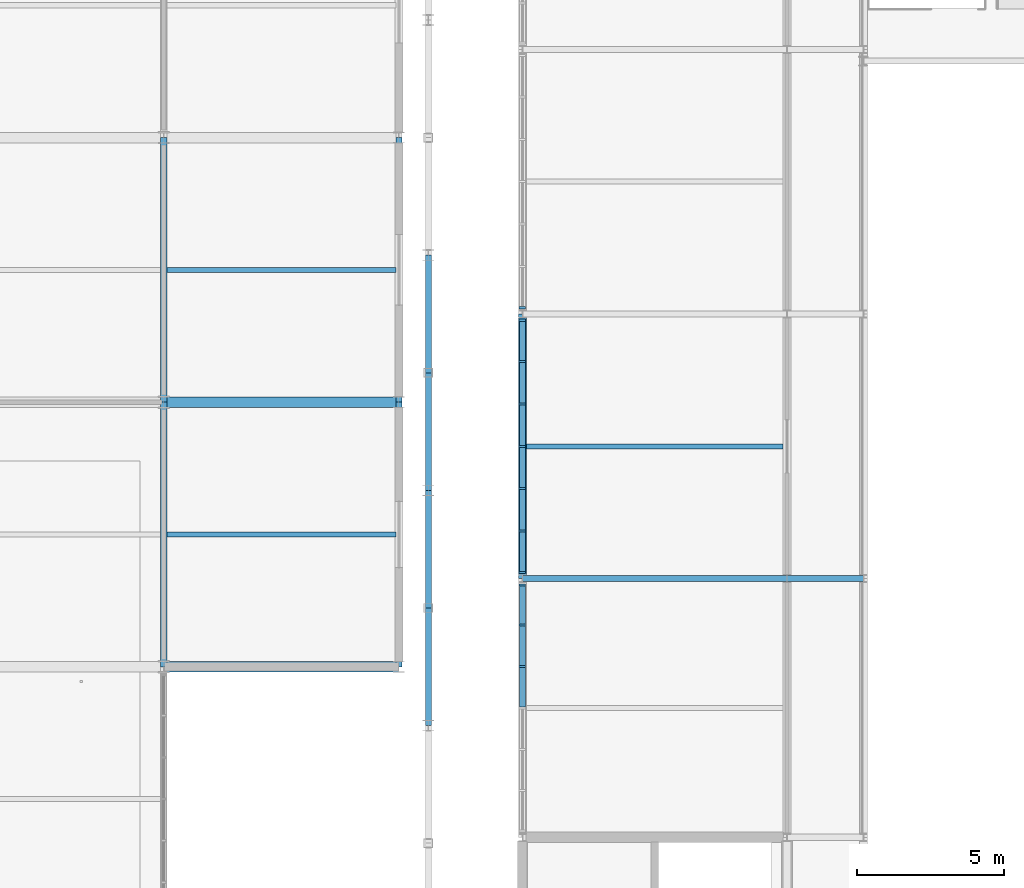
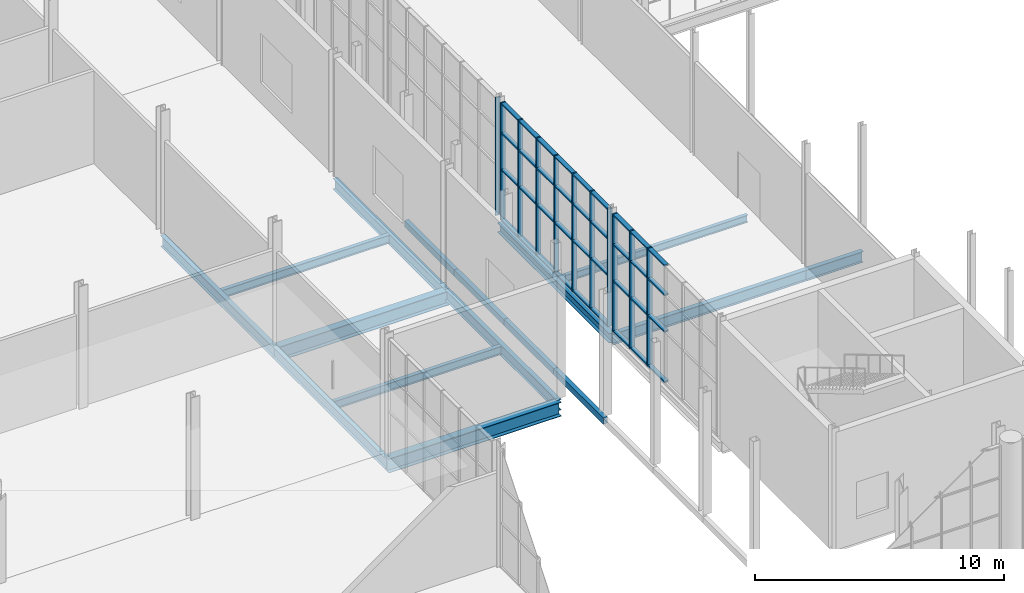
# One storey, part 53 of 159: 47 members, 16 beams, 3 elements without a shape of their own.
"""IFC4 building model written with IfcOpenShell, lengths in metres."""

from ifc_helpers import new_model, si_unit, direction, frame, origin, origin_2d, place, context, subcontext, project, spatial, rectangle, hollow_rectangle, i_section, extrude, material, layer, layer_set, material_profile, profile_set, type_object, element, aggregate, save


model = new_model("IFC4")

# Units and contexts
model_context = context("Model", 3, precision=1e-05, world=origin(), true_north=direction((0.0, 1.0)))
body_context = subcontext(model_context, "Body", "Model", "MODEL_VIEW")
ifc_project = project(units=[si_unit("LENGTHUNIT", "METRE"), si_unit("AREAUNIT", "SQUARE_METRE"), si_unit("VOLUMEUNIT", "CUBIC_METRE"), si_unit("PLANEANGLEUNIT", "RADIAN"), si_unit("MASSUNIT", "GRAM", prefix="KILO")], contexts=[model_context])

# Site, building, storey
site_placement = place(None, origin())
site = spatial("IfcSite", under=ifc_project, at=site_placement, CompositionType="ELEMENT")
building_placement = place(site_placement, origin())
building = spatial("IfcBuilding", under=site, at=building_placement, Name="Cazmaro Siding Exhibition Halls", CompositionType="ELEMENT")
storey_placement = place(building_placement, frame((0.0, 0.0, 6.0)))
storey = spatial("IfcBuildingStorey", under=building, at=storey_placement, Name="L01", CompositionType="ELEMENT", Elevation=6.0)

# Beams
ifc_material_1 = material(Name="Steel ASTM A992 Grade 50", Category="steel")
ifc_material_profile_1 = material_profile(ifc_material_1, i_section(OverallWidth=0.214111328125, OverallDepth=0.549072265625, WebThickness=0.014892578125, FlangeThickness=0.02392578125, at=origin_2d()), Name="W21X93")
ifc_profile_set_1 = profile_set([ifc_material_profile_1], Name="Steel ASTM A992 Grade 50")
beam_type_1 = type_object("IfcBeamType", Name="B-01", PredefinedType="BEAM", material=ifc_profile_set_1)
for number, where, z_axis, x_axis, name in (
    (1, (36.0, 82.0, -0.493896484375), (0.0, 1.0, 0.0), (-1.0, 0.0, 0.0), "Beam B-01 BM-2029"),
    (2, (36.0, 91.0, -0.493896484375), (0.0, 1.0, 0.0), (-1.0, 0.0, 0.0), "Beam B-01 BM-2030"),
):
    element("IfcBeam", number, at=place(storey_placement, frame(where, z_axis=z_axis, x_axis=x_axis)), inside=storey, type_object=beam_type_1, Name=name, PredefinedType="BEAM", context=body_context, shape_type="SweptSolid", body=[
        extrude(i_section(OverallWidth=0.214111328125, OverallDepth=0.549072265625, WebThickness=0.014892578125, FlangeThickness=0.02392578125, at=origin_2d()), origin(), (0.0, 0.0, 1.0), 9.0),
    ])
ifc_material_2 = material(Name="Steel ASTM A992 Grade 50", Category="steel")
ifc_material_profile_2 = material_profile(ifc_material_2, i_section(OverallWidth=0.2099609375, OverallDepth=0.535888671875, WebThickness=0.010986328125, FlangeThickness=0.01708984375, at=origin_2d()), Name="W21X68")
ifc_profile_set_2 = profile_set([ifc_material_profile_2], Name="Steel ASTM A992 Grade 50")
beam_type_2 = type_object("IfcBeamType", Name="B-02", PredefinedType="BEAM", material=ifc_profile_set_2)
beam_1_placement = place(storey_placement, frame((48.199951171875, 85.0, -0.488037109375), z_axis=(1.0, 0.0, 0.0), x_axis=(0.0, 1.0, 0.0)))
element("IfcBeam", 3, at=beam_1_placement, inside=storey, type_object=beam_type_2, Name="Beam B-02 BM-0349", PredefinedType="BEAM", context=body_context, shape_type="SweptSolid", body=[
    extrude(i_section(OverallWidth=0.2099609375, OverallDepth=0.535888671875, WebThickness=0.010986328125, FlangeThickness=0.01708984375, at=origin_2d()), origin(), (0.0, 0.0, 1.0), 9.0),
])
beam_2_placement = place(storey_placement, frame((57.199951171875, 85.0, -0.488037109375), z_axis=(1.0, 0.0, 0.0), x_axis=(0.0, 1.0, 0.0)))
element("IfcBeam", 4, at=beam_2_placement, inside=storey, type_object=beam_type_2, Name="Beam B-02 BM-0365", PredefinedType="BEAM", context=body_context, shape_type="SweptSolid", body=[
    extrude(i_section(OverallWidth=0.2099609375, OverallDepth=0.535888671875, WebThickness=0.010986328125, FlangeThickness=0.01708984375, at=origin_2d()), origin(), (0.0, 0.0, 1.0), 2.60009765625),
])
for number, where, z_axis, x_axis, name in (
    (5, (44.0, 82.0, -0.488037109375), (0.0, 1.0, 0.0), (-1.0, 0.0, 0.0), "Beam B-02 BM-2040"),
    (6, (44.0, 91.0, -0.488037109375), (0.0, 1.0, 0.0), (-1.0, 0.0, 0.0), "Beam B-02 BM-2042"),
):
    element("IfcBeam", number, at=place(storey_placement, frame(where, z_axis=z_axis, x_axis=x_axis)), inside=storey, type_object=beam_type_2, Name=name, PredefinedType="BEAM", context=body_context, shape_type="SweptSolid", body=[
        extrude(i_section(OverallWidth=0.2099609375, OverallDepth=0.535888671875, WebThickness=0.010986328125, FlangeThickness=0.01708984375, at=origin_2d()), origin(), (0.0, 0.0, 1.0), 9.0),
    ])
ifc_material_3 = material(Name="Steel ASTM A992 Grade 50", Category="steel")
ifc_material_profile_3 = material_profile(ifc_material_3, i_section(OverallWidth=0.279052734375, OverallDepth=0.4619140625, WebThickness=0.010986328125, FlangeThickness=0.01708984375, at=origin_2d()), Name="W18X76")
ifc_profile_set_3 = profile_set([ifc_material_profile_3], Name="Steel ASTM A992 Grade 50")
beam_type_3 = type_object("IfcBeamType", Name="B-03", PredefinedType="BEAM", material=ifc_profile_set_3)
beam_3_placement = place(storey_placement, frame((48.199951171875, 85.0, -0.450927734375), z_axis=(0.0, 1.0, 0.0), x_axis=(-1.0, 0.0, 0.0)))
element("IfcBeam", 7, at=beam_3_placement, inside=storey, type_object=beam_type_3, Name="Beam B-03 BM-0355", PredefinedType="BEAM", context=body_context, shape_type="SweptSolid", body=[
    extrude(i_section(OverallWidth=0.279052734375, OverallDepth=0.4619140625, WebThickness=0.010986328125, FlangeThickness=0.01708984375, at=origin_2d()), origin(), (0.0, 0.0, 1.0), 9.0),
])

# Curtain wall, members
ifc_material_4 = material(Name="Anodized Bronze Aluminum and Solar-Control Low-E Glazing", Category="aluminium")
ifc_layer = layer(ifc_material_4, 0.219970703125)
ifc_layer_set = layer_set([ifc_layer], Name="Anodized Bronze Aluminum and Solar-Control Low-E Glazing")
curtain_wall_type = type_object("IfcCurtainWallType", Name="CWS-03", PredefinedType="USERDEFINED", material=ifc_layer_set)
curtain_wall_1_placement = place(storey_placement, origin())
curtain_wall_1 = element("IfcCurtainWall", 8, at=curtain_wall_1_placement, inside=storey, type_object=curtain_wall_type, Name="Glazed Curtain Wall CWS-03 CW-051", ObjectType="GLAZED CURTAIN WALL", PredefinedType="USERDEFINED")
ifc_material_5 = material(Name="Anodized Bronze Extruded Aluminum", Category="aluminium")
ifc_material_profile_4 = material_profile(ifc_material_5, rectangle(XDim=0.219970703125, YDim=0.070068359375, at=origin_2d()), Name="CWM-03")
ifc_profile_set_4 = profile_set([ifc_material_profile_4], Name="Anodized Bronze Extruded Aluminum")
member_type_1 = type_object("IfcMemberType", Name="CWM-03", PredefinedType="MULLION", material=ifc_profile_set_4)
member_1_placement = place(storey_placement, frame((48.199951171875, 84.7880859375, 0.0), z_axis=(0.0, 0.0, 1.0), x_axis=(1.0, 0.0, 0.0)))
member_1 = element("IfcMember", 9, at=member_1_placement, type_object=member_type_1, Name="CWS-03 mullion 1", PredefinedType="MULLION", context=body_context, shape_type="SweptSolid", body=[
    extrude(rectangle(XDim=0.219970703125, YDim=0.070068359375, at=origin_2d()), origin(), (0.0, 0.0, 1.0), 5.780029296875),
])
member_2_placement = place(storey_placement, frame((48.199951171875, 83.415283203125, 0.0), z_axis=(0.0, 0.0, 1.0), x_axis=(1.0, 0.0, 0.0)))
member_2 = element("IfcMember", 10, at=member_2_placement, type_object=member_type_1, Name="CWS-03 mullion 2", PredefinedType="MULLION", context=body_context, shape_type="SweptSolid", body=[
    extrude(rectangle(XDim=0.219970703125, YDim=0.070068359375, at=origin_2d()), origin(), (0.0, 0.0, 1.0), 5.780029296875),
])
member_3_placement = place(storey_placement, frame((48.199951171875, 82.007568359375, 0.0), z_axis=(0.0, 0.0, 1.0), x_axis=(1.0, 0.0, 0.0)))
member_3 = element("IfcMember", 11, at=member_3_placement, type_object=member_type_1, Name="CWS-03 mullion 3", PredefinedType="MULLION", context=body_context, shape_type="SweptSolid", body=[
    extrude(rectangle(XDim=0.219970703125, YDim=0.070068359375, at=origin_2d()), origin(), (0.0, 0.0, 1.0), 5.780029296875),
])

curtain_wall_2_placement = place(storey_placement, origin())
curtain_wall_2 = element("IfcCurtainWall", 12, at=curtain_wall_2_placement, inside=storey, type_object=curtain_wall_type, Name="Glazed Curtain Wall CWS-03 CW-054", ObjectType="GLAZED CURTAIN WALL", PredefinedType="USERDEFINED")
member_4_placement = place(storey_placement, frame((48.199951171875, 93.7880859375, 0.0), z_axis=(0.0, 0.0, 1.0), x_axis=(1.0, 0.0, 0.0)))
member_4 = element("IfcMember", 13, at=member_4_placement, type_object=member_type_1, Name="CWS-03 mullion 1", PredefinedType="MULLION", context=body_context, shape_type="SweptSolid", body=[
    extrude(rectangle(XDim=0.219970703125, YDim=0.070068359375, at=origin_2d()), origin(), (0.0, 0.0, 1.0), 5.780029296875),
])
member_5_placement = place(storey_placement, frame((48.199951171875, 92.382080078125, 0.0), z_axis=(0.0, 0.0, 1.0), x_axis=(1.0, 0.0, 0.0)))
member_5 = element("IfcMember", 14, at=member_5_placement, type_object=member_type_1, Name="CWS-03 mullion 2", PredefinedType="MULLION", context=body_context, shape_type="SweptSolid", body=[
    extrude(rectangle(XDim=0.219970703125, YDim=0.070068359375, at=origin_2d()), origin(), (0.0, 0.0, 1.0), 5.780029296875),
])
member_6_placement = place(storey_placement, frame((48.199951171875, 90.94091796875, 0.0), z_axis=(0.0, 0.0, 1.0), x_axis=(1.0, 0.0, 0.0)))
member_6 = element("IfcMember", 15, at=member_6_placement, type_object=member_type_1, Name="CWS-03 mullion 3", PredefinedType="MULLION", context=body_context, shape_type="SweptSolid", body=[
    extrude(rectangle(XDim=0.219970703125, YDim=0.070068359375, at=origin_2d()), origin(), (0.0, 0.0, 1.0), 5.780029296875),
])
member_7_placement = place(storey_placement, frame((48.199951171875, 89.5, 0.0), z_axis=(0.0, 0.0, 1.0), x_axis=(1.0, 0.0, 0.0)))
member_7 = element("IfcMember", 16, at=member_7_placement, type_object=member_type_1, Name="CWS-03 mullion 4", PredefinedType="MULLION", context=body_context, shape_type="SweptSolid", body=[
    extrude(rectangle(XDim=0.219970703125, YDim=0.070068359375, at=origin_2d()), origin(), (0.0, 0.0, 1.0), 5.780029296875),
])
member_8_placement = place(storey_placement, frame((48.199951171875, 88.05908203125, 0.0), z_axis=(0.0, 0.0, 1.0), x_axis=(1.0, 0.0, 0.0)))
member_8 = element("IfcMember", 17, at=member_8_placement, type_object=member_type_1, Name="CWS-03 mullion 5", PredefinedType="MULLION", context=body_context, shape_type="SweptSolid", body=[
    extrude(rectangle(XDim=0.219970703125, YDim=0.070068359375, at=origin_2d()), origin(), (0.0, 0.0, 1.0), 5.780029296875),
])
member_9_placement = place(storey_placement, frame((48.199951171875, 86.617919921875, 0.0), z_axis=(0.0, 0.0, 1.0), x_axis=(1.0, 0.0, 0.0)))
member_9 = element("IfcMember", 18, at=member_9_placement, type_object=member_type_1, Name="CWS-03 mullion 6", PredefinedType="MULLION", context=body_context, shape_type="SweptSolid", body=[
    extrude(rectangle(XDim=0.219970703125, YDim=0.070068359375, at=origin_2d()), origin(), (0.0, 0.0, 1.0), 5.780029296875),
])
member_10_placement = place(storey_placement, frame((48.199951171875, 85.2119140625, 0.0), z_axis=(0.0, 0.0, 1.0), x_axis=(1.0, 0.0, 0.0)))
member_10 = element("IfcMember", 19, at=member_10_placement, type_object=member_type_1, Name="CWS-03 mullion 7", PredefinedType="MULLION", context=body_context, shape_type="SweptSolid", body=[
    extrude(rectangle(XDim=0.219970703125, YDim=0.070068359375, at=origin_2d()), origin(), (0.0, 0.0, 1.0), 5.780029296875),
])

# Curtain wall, member
curtain_wall_3_placement = place(storey_placement, origin())
curtain_wall_3 = element("IfcCurtainWall", 20, at=curtain_wall_3_placement, inside=storey, type_object=curtain_wall_type, Name="Glazed Curtain Wall CWS-03 CW-057", ObjectType="GLAZED CURTAIN WALL", PredefinedType="USERDEFINED")
member_11_placement = place(storey_placement, frame((48.199951171875, 94.2119140625, 0.0), z_axis=(0.0, 0.0, 1.0), x_axis=(1.0, 0.0, 0.0)))
member_11 = element("IfcMember", 21, at=member_11_placement, type_object=member_type_1, Name="CWS-03 mullion 7", PredefinedType="MULLION", context=body_context, shape_type="SweptSolid", body=[
    extrude(rectangle(XDim=0.219970703125, YDim=0.070068359375, at=origin_2d()), origin(), (0.0, 0.0, 1.0), 5.780029296875),
])
aggregate(curtain_wall_3, [member_11])

# Member
ifc_material_6 = material(Name="Anodized Bronze Extruded Aluminum", Category="aluminium")
ifc_material_profile_5 = material_profile(ifc_material_6, rectangle(XDim=0.199951171875, YDim=0.070068359375, at=origin_2d()), Name="CWT-03")
ifc_profile_set_5 = profile_set([ifc_material_profile_5], Name="Anodized Bronze Extruded Aluminum")
member_type_2 = type_object("IfcMemberType", Name="CWT-03", PredefinedType="MULLION", material=ifc_profile_set_5)
member_12_placement = place(storey_placement, frame((48.199951171875, 84.7529296875, 0.034912109375), z_axis=(0.0, -1.0, 0.0), x_axis=(1.0, 0.0, 0.0)))
member_12 = element("IfcMember", 22, at=member_12_placement, type_object=member_type_2, Name="CWS-03 transom 1.1", ObjectType="TRANSOM", PredefinedType="USERDEFINED", context=body_context, shape_type="SweptSolid", body=[
    extrude(rectangle(XDim=0.199951171875, YDim=0.070068359375, at=origin_2d()), origin(), (0.0, 0.0, 1.0), 1.302490234375),
])

member_13_placement = place(storey_placement, frame((48.199951171875, 84.7529296875, 2.5), z_axis=(0.0, -1.0, 0.0), x_axis=(1.0, 0.0, 0.0)))
member_13 = element("IfcMember", 23, at=member_13_placement, type_object=member_type_2, Name="CWS-03 transom 1.2", ObjectType="TRANSOM", PredefinedType="USERDEFINED", context=body_context, shape_type="SweptSolid", body=[
    extrude(rectangle(XDim=0.199951171875, YDim=0.070068359375, at=origin_2d()), origin(), (0.0, 0.0, 1.0), 1.302490234375),
])

member_14_placement = place(storey_placement, frame((48.199951171875, 84.7529296875, 4.300048828125), z_axis=(0.0, -1.0, 0.0), x_axis=(1.0, 0.0, 0.0)))
member_14 = element("IfcMember", 24, at=member_14_placement, type_object=member_type_2, Name="CWS-03 transom 1.3", ObjectType="TRANSOM", PredefinedType="USERDEFINED", context=body_context, shape_type="SweptSolid", body=[
    extrude(rectangle(XDim=0.199951171875, YDim=0.070068359375, at=origin_2d()), origin(), (0.0, 0.0, 1.0), 1.302490234375),
])

member_15_placement = place(storey_placement, frame((48.199951171875, 84.7529296875, 5.7451171875), z_axis=(0.0, -1.0, 0.0), x_axis=(1.0, 0.0, 0.0)))
member_15 = element("IfcMember", 25, at=member_15_placement, type_object=member_type_2, Name="CWS-03 transom 1.4", ObjectType="TRANSOM", PredefinedType="USERDEFINED", context=body_context, shape_type="SweptSolid", body=[
    extrude(rectangle(XDim=0.199951171875, YDim=0.070068359375, at=origin_2d()), origin(), (0.0, 0.0, 1.0), 1.302490234375),
])

member_16_placement = place(storey_placement, frame((48.199951171875, 83.38037109375, 0.034912109375), z_axis=(0.0, -1.0, 0.0), x_axis=(1.0, 0.0, 0.0)))
member_16 = element("IfcMember", 26, at=member_16_placement, type_object=member_type_2, Name="CWS-03 transom 2.1", ObjectType="TRANSOM", PredefinedType="USERDEFINED", context=body_context, shape_type="SweptSolid", body=[
    extrude(rectangle(XDim=0.199951171875, YDim=0.070068359375, at=origin_2d()), origin(), (0.0, 0.0, 1.0), 1.337646484375),
])

member_17_placement = place(storey_placement, frame((48.199951171875, 83.38037109375, 2.5), z_axis=(0.0, -1.0, 0.0), x_axis=(1.0, 0.0, 0.0)))
member_17 = element("IfcMember", 27, at=member_17_placement, type_object=member_type_2, Name="CWS-03 transom 2.2", ObjectType="TRANSOM", PredefinedType="USERDEFINED", context=body_context, shape_type="SweptSolid", body=[
    extrude(rectangle(XDim=0.199951171875, YDim=0.070068359375, at=origin_2d()), origin(), (0.0, 0.0, 1.0), 1.337646484375),
])

member_18_placement = place(storey_placement, frame((48.199951171875, 83.38037109375, 4.300048828125), z_axis=(0.0, -1.0, 0.0), x_axis=(1.0, 0.0, 0.0)))
member_18 = element("IfcMember", 28, at=member_18_placement, type_object=member_type_2, Name="CWS-03 transom 2.3", ObjectType="TRANSOM", PredefinedType="USERDEFINED", context=body_context, shape_type="SweptSolid", body=[
    extrude(rectangle(XDim=0.199951171875, YDim=0.070068359375, at=origin_2d()), origin(), (0.0, 0.0, 1.0), 1.337646484375),
])

member_19_placement = place(storey_placement, frame((48.199951171875, 83.38037109375, 5.7451171875), z_axis=(0.0, -1.0, 0.0), x_axis=(1.0, 0.0, 0.0)))
member_19 = element("IfcMember", 29, at=member_19_placement, type_object=member_type_2, Name="CWS-03 transom 2.4", ObjectType="TRANSOM", PredefinedType="USERDEFINED", context=body_context, shape_type="SweptSolid", body=[
    extrude(rectangle(XDim=0.199951171875, YDim=0.070068359375, at=origin_2d()), origin(), (0.0, 0.0, 1.0), 1.337646484375),
])

member_20_placement = place(storey_placement, frame((48.199951171875, 81.97265625, 0.034912109375), z_axis=(0.0, -1.0, 0.0), x_axis=(1.0, 0.0, 0.0)))
member_20 = element("IfcMember", 30, at=member_20_placement, type_object=member_type_2, Name="CWS-03 transom 3.1", ObjectType="TRANSOM", PredefinedType="USERDEFINED", context=body_context, shape_type="SweptSolid", body=[
    extrude(rectangle(XDim=0.199951171875, YDim=0.070068359375, at=origin_2d()), origin(), (0.0, 0.0, 1.0), 1.337646484375),
])

member_21_placement = place(storey_placement, frame((48.199951171875, 81.97265625, 2.5), z_axis=(0.0, -1.0, 0.0), x_axis=(1.0, 0.0, 0.0)))
member_21 = element("IfcMember", 31, at=member_21_placement, type_object=member_type_2, Name="CWS-03 transom 3.2", ObjectType="TRANSOM", PredefinedType="USERDEFINED", context=body_context, shape_type="SweptSolid", body=[
    extrude(rectangle(XDim=0.199951171875, YDim=0.070068359375, at=origin_2d()), origin(), (0.0, 0.0, 1.0), 1.337646484375),
])

member_22_placement = place(storey_placement, frame((48.199951171875, 81.97265625, 4.300048828125), z_axis=(0.0, -1.0, 0.0), x_axis=(1.0, 0.0, 0.0)))
member_22 = element("IfcMember", 32, at=member_22_placement, type_object=member_type_2, Name="CWS-03 transom 3.3", ObjectType="TRANSOM", PredefinedType="USERDEFINED", context=body_context, shape_type="SweptSolid", body=[
    extrude(rectangle(XDim=0.199951171875, YDim=0.070068359375, at=origin_2d()), origin(), (0.0, 0.0, 1.0), 1.337646484375),
])

member_23_placement = place(storey_placement, frame((48.199951171875, 81.97265625, 5.7451171875), z_axis=(0.0, -1.0, 0.0), x_axis=(1.0, 0.0, 0.0)))
member_23 = element("IfcMember", 33, at=member_23_placement, type_object=member_type_2, Name="CWS-03 transom 3.4", ObjectType="TRANSOM", PredefinedType="USERDEFINED", context=body_context, shape_type="SweptSolid", body=[
    extrude(rectangle(XDim=0.199951171875, YDim=0.070068359375, at=origin_2d()), origin(), (0.0, 0.0, 1.0), 1.337646484375),
])

aggregate(curtain_wall_1, [member_1, member_2, member_3, member_12, member_13, member_14, member_15, member_16, member_17, member_18, member_19, member_20, member_21, member_22, member_23])

member_24_placement = place(storey_placement, frame((48.199951171875, 93.7529296875, 0.034912109375), z_axis=(0.0, -1.0, 0.0), x_axis=(1.0, 0.0, 0.0)))
member_24 = element("IfcMember", 34, at=member_24_placement, type_object=member_type_2, Name="CWS-03 transom 1.1", ObjectType="TRANSOM", PredefinedType="USERDEFINED", context=body_context, shape_type="SweptSolid", body=[
    extrude(rectangle(XDim=0.199951171875, YDim=0.070068359375, at=origin_2d()), origin(), (0.0, 0.0, 1.0), 1.3359375),
])

member_25_placement = place(storey_placement, frame((48.199951171875, 93.7529296875, 2.5), z_axis=(0.0, -1.0, 0.0), x_axis=(1.0, 0.0, 0.0)))
member_25 = element("IfcMember", 35, at=member_25_placement, type_object=member_type_2, Name="CWS-03 transom 1.2", ObjectType="TRANSOM", PredefinedType="USERDEFINED", context=body_context, shape_type="SweptSolid", body=[
    extrude(rectangle(XDim=0.199951171875, YDim=0.070068359375, at=origin_2d()), origin(), (0.0, 0.0, 1.0), 1.3359375),
])

member_26_placement = place(storey_placement, frame((48.199951171875, 93.7529296875, 4.300048828125), z_axis=(0.0, -1.0, 0.0), x_axis=(1.0, 0.0, 0.0)))
member_26 = element("IfcMember", 36, at=member_26_placement, type_object=member_type_2, Name="CWS-03 transom 1.3", ObjectType="TRANSOM", PredefinedType="USERDEFINED", context=body_context, shape_type="SweptSolid", body=[
    extrude(rectangle(XDim=0.199951171875, YDim=0.070068359375, at=origin_2d()), origin(), (0.0, 0.0, 1.0), 1.3359375),
])

member_27_placement = place(storey_placement, frame((48.199951171875, 93.7529296875, 5.7451171875), z_axis=(0.0, -1.0, 0.0), x_axis=(1.0, 0.0, 0.0)))
member_27 = element("IfcMember", 37, at=member_27_placement, type_object=member_type_2, Name="CWS-03 transom 1.4", ObjectType="TRANSOM", PredefinedType="USERDEFINED", context=body_context, shape_type="SweptSolid", body=[
    extrude(rectangle(XDim=0.199951171875, YDim=0.070068359375, at=origin_2d()), origin(), (0.0, 0.0, 1.0), 1.3359375),
])

member_28_placement = place(storey_placement, frame((48.199951171875, 92.346923828125, 0.034912109375), z_axis=(0.0, -1.0, 0.0), x_axis=(1.0, 0.0, 0.0)))
member_28 = element("IfcMember", 38, at=member_28_placement, type_object=member_type_2, Name="CWS-03 transom 2.1", ObjectType="TRANSOM", PredefinedType="USERDEFINED", context=body_context, shape_type="SweptSolid", body=[
    extrude(rectangle(XDim=0.199951171875, YDim=0.070068359375, at=origin_2d()), origin(), (0.0, 0.0, 1.0), 1.370849609375),
])

member_29_placement = place(storey_placement, frame((48.199951171875, 92.346923828125, 2.5), z_axis=(0.0, -1.0, 0.0), x_axis=(1.0, 0.0, 0.0)))
member_29 = element("IfcMember", 39, at=member_29_placement, type_object=member_type_2, Name="CWS-03 transom 2.2", ObjectType="TRANSOM", PredefinedType="USERDEFINED", context=body_context, shape_type="SweptSolid", body=[
    extrude(rectangle(XDim=0.199951171875, YDim=0.070068359375, at=origin_2d()), origin(), (0.0, 0.0, 1.0), 1.370849609375),
])

member_30_placement = place(storey_placement, frame((48.199951171875, 92.346923828125, 4.300048828125), z_axis=(0.0, -1.0, 0.0), x_axis=(1.0, 0.0, 0.0)))
member_30 = element("IfcMember", 40, at=member_30_placement, type_object=member_type_2, Name="CWS-03 transom 2.3", ObjectType="TRANSOM", PredefinedType="USERDEFINED", context=body_context, shape_type="SweptSolid", body=[
    extrude(rectangle(XDim=0.199951171875, YDim=0.070068359375, at=origin_2d()), origin(), (0.0, 0.0, 1.0), 1.370849609375),
])

member_31_placement = place(storey_placement, frame((48.199951171875, 92.346923828125, 5.7451171875), z_axis=(0.0, -1.0, 0.0), x_axis=(1.0, 0.0, 0.0)))
member_31 = element("IfcMember", 41, at=member_31_placement, type_object=member_type_2, Name="CWS-03 transom 2.4", ObjectType="TRANSOM", PredefinedType="USERDEFINED", context=body_context, shape_type="SweptSolid", body=[
    extrude(rectangle(XDim=0.199951171875, YDim=0.070068359375, at=origin_2d()), origin(), (0.0, 0.0, 1.0), 1.370849609375),
])

member_32_placement = place(storey_placement, frame((48.199951171875, 90.906005859375, 0.034912109375), z_axis=(0.0, -1.0, 0.0), x_axis=(1.0, 0.0, 0.0)))
member_32 = element("IfcMember", 42, at=member_32_placement, type_object=member_type_2, Name="CWS-03 transom 3.1", ObjectType="TRANSOM", PredefinedType="USERDEFINED", context=body_context, shape_type="SweptSolid", body=[
    extrude(rectangle(XDim=0.199951171875, YDim=0.070068359375, at=origin_2d()), origin(), (0.0, 0.0, 1.0), 1.37109375),
])

member_33_placement = place(storey_placement, frame((48.199951171875, 90.906005859375, 2.5), z_axis=(0.0, -1.0, 0.0), x_axis=(1.0, 0.0, 0.0)))
member_33 = element("IfcMember", 43, at=member_33_placement, type_object=member_type_2, Name="CWS-03 transom 3.2", ObjectType="TRANSOM", PredefinedType="USERDEFINED", context=body_context, shape_type="SweptSolid", body=[
    extrude(rectangle(XDim=0.199951171875, YDim=0.070068359375, at=origin_2d()), origin(), (0.0, 0.0, 1.0), 1.37109375),
])

member_34_placement = place(storey_placement, frame((48.199951171875, 90.906005859375, 4.300048828125), z_axis=(0.0, -1.0, 0.0), x_axis=(1.0, 0.0, 0.0)))
member_34 = element("IfcMember", 44, at=member_34_placement, type_object=member_type_2, Name="CWS-03 transom 3.3", ObjectType="TRANSOM", PredefinedType="USERDEFINED", context=body_context, shape_type="SweptSolid", body=[
    extrude(rectangle(XDim=0.199951171875, YDim=0.070068359375, at=origin_2d()), origin(), (0.0, 0.0, 1.0), 1.37109375),
])

member_35_placement = place(storey_placement, frame((48.199951171875, 90.906005859375, 5.7451171875), z_axis=(0.0, -1.0, 0.0), x_axis=(1.0, 0.0, 0.0)))
member_35 = element("IfcMember", 45, at=member_35_placement, type_object=member_type_2, Name="CWS-03 transom 3.4", ObjectType="TRANSOM", PredefinedType="USERDEFINED", context=body_context, shape_type="SweptSolid", body=[
    extrude(rectangle(XDim=0.199951171875, YDim=0.070068359375, at=origin_2d()), origin(), (0.0, 0.0, 1.0), 1.37109375),
])

member_36_placement = place(storey_placement, frame((48.199951171875, 89.465087890625, 0.034912109375), z_axis=(0.0, -1.0, 0.0), x_axis=(1.0, 0.0, 0.0)))
member_36 = element("IfcMember", 46, at=member_36_placement, type_object=member_type_2, Name="CWS-03 transom 4.1", ObjectType="TRANSOM", PredefinedType="USERDEFINED", context=body_context, shape_type="SweptSolid", body=[
    extrude(rectangle(XDim=0.199951171875, YDim=0.070068359375, at=origin_2d()), origin(), (0.0, 0.0, 1.0), 1.37109375),
])

member_37_placement = place(storey_placement, frame((48.199951171875, 89.465087890625, 2.5), z_axis=(0.0, -1.0, 0.0), x_axis=(1.0, 0.0, 0.0)))
member_37 = element("IfcMember", 47, at=member_37_placement, type_object=member_type_2, Name="CWS-03 transom 4.2", ObjectType="TRANSOM", PredefinedType="USERDEFINED", context=body_context, shape_type="SweptSolid", body=[
    extrude(rectangle(XDim=0.199951171875, YDim=0.070068359375, at=origin_2d()), origin(), (0.0, 0.0, 1.0), 1.37109375),
])

member_38_placement = place(storey_placement, frame((48.199951171875, 89.465087890625, 4.300048828125), z_axis=(0.0, -1.0, 0.0), x_axis=(1.0, 0.0, 0.0)))
member_38 = element("IfcMember", 48, at=member_38_placement, type_object=member_type_2, Name="CWS-03 transom 4.3", ObjectType="TRANSOM", PredefinedType="USERDEFINED", context=body_context, shape_type="SweptSolid", body=[
    extrude(rectangle(XDim=0.199951171875, YDim=0.070068359375, at=origin_2d()), origin(), (0.0, 0.0, 1.0), 1.37109375),
])

member_39_placement = place(storey_placement, frame((48.199951171875, 89.465087890625, 5.7451171875), z_axis=(0.0, -1.0, 0.0), x_axis=(1.0, 0.0, 0.0)))
member_39 = element("IfcMember", 49, at=member_39_placement, type_object=member_type_2, Name="CWS-03 transom 4.4", ObjectType="TRANSOM", PredefinedType="USERDEFINED", context=body_context, shape_type="SweptSolid", body=[
    extrude(rectangle(XDim=0.199951171875, YDim=0.070068359375, at=origin_2d()), origin(), (0.0, 0.0, 1.0), 1.37109375),
])

member_40_placement = place(storey_placement, frame((48.199951171875, 88.02392578125, 0.034912109375), z_axis=(0.0, -1.0, 0.0), x_axis=(1.0, 0.0, 0.0)))
member_40 = element("IfcMember", 50, at=member_40_placement, type_object=member_type_2, Name="CWS-03 transom 5.1", ObjectType="TRANSOM", PredefinedType="USERDEFINED", context=body_context, shape_type="SweptSolid", body=[
    extrude(rectangle(XDim=0.199951171875, YDim=0.070068359375, at=origin_2d()), origin(), (0.0, 0.0, 1.0), 1.370849609375),
])

member_41_placement = place(storey_placement, frame((48.199951171875, 88.02392578125, 2.5), z_axis=(0.0, -1.0, 0.0), x_axis=(1.0, 0.0, 0.0)))
member_41 = element("IfcMember", 51, at=member_41_placement, type_object=member_type_2, Name="CWS-03 transom 5.2", ObjectType="TRANSOM", PredefinedType="USERDEFINED", context=body_context, shape_type="SweptSolid", body=[
    extrude(rectangle(XDim=0.199951171875, YDim=0.070068359375, at=origin_2d()), origin(), (0.0, 0.0, 1.0), 1.370849609375),
])

member_42_placement = place(storey_placement, frame((48.199951171875, 88.02392578125, 4.300048828125), z_axis=(0.0, -1.0, 0.0), x_axis=(1.0, 0.0, 0.0)))
member_42 = element("IfcMember", 52, at=member_42_placement, type_object=member_type_2, Name="CWS-03 transom 5.3", ObjectType="TRANSOM", PredefinedType="USERDEFINED", context=body_context, shape_type="SweptSolid", body=[
    extrude(rectangle(XDim=0.199951171875, YDim=0.070068359375, at=origin_2d()), origin(), (0.0, 0.0, 1.0), 1.370849609375),
])

member_43_placement = place(storey_placement, frame((48.199951171875, 88.02392578125, 5.7451171875), z_axis=(0.0, -1.0, 0.0), x_axis=(1.0, 0.0, 0.0)))
member_43 = element("IfcMember", 53, at=member_43_placement, type_object=member_type_2, Name="CWS-03 transom 5.4", ObjectType="TRANSOM", PredefinedType="USERDEFINED", context=body_context, shape_type="SweptSolid", body=[
    extrude(rectangle(XDim=0.199951171875, YDim=0.070068359375, at=origin_2d()), origin(), (0.0, 0.0, 1.0), 1.370849609375),
])

member_44_placement = place(storey_placement, frame((48.199951171875, 86.5830078125, 0.034912109375), z_axis=(0.0, -1.0, 0.0), x_axis=(1.0, 0.0, 0.0)))
member_44 = element("IfcMember", 54, at=member_44_placement, type_object=member_type_2, Name="CWS-03 transom 6.1", ObjectType="TRANSOM", PredefinedType="USERDEFINED", context=body_context, shape_type="SweptSolid", body=[
    extrude(rectangle(XDim=0.199951171875, YDim=0.070068359375, at=origin_2d()), origin(), (0.0, 0.0, 1.0), 1.3359375),
])

member_45_placement = place(storey_placement, frame((48.199951171875, 86.5830078125, 2.5), z_axis=(0.0, -1.0, 0.0), x_axis=(1.0, 0.0, 0.0)))
member_45 = element("IfcMember", 55, at=member_45_placement, type_object=member_type_2, Name="CWS-03 transom 6.2", ObjectType="TRANSOM", PredefinedType="USERDEFINED", context=body_context, shape_type="SweptSolid", body=[
    extrude(rectangle(XDim=0.199951171875, YDim=0.070068359375, at=origin_2d()), origin(), (0.0, 0.0, 1.0), 1.3359375),
])

member_46_placement = place(storey_placement, frame((48.199951171875, 86.5830078125, 4.300048828125), z_axis=(0.0, -1.0, 0.0), x_axis=(1.0, 0.0, 0.0)))
member_46 = element("IfcMember", 56, at=member_46_placement, type_object=member_type_2, Name="CWS-03 transom 6.3", ObjectType="TRANSOM", PredefinedType="USERDEFINED", context=body_context, shape_type="SweptSolid", body=[
    extrude(rectangle(XDim=0.199951171875, YDim=0.070068359375, at=origin_2d()), origin(), (0.0, 0.0, 1.0), 1.3359375),
])

member_47_placement = place(storey_placement, frame((48.199951171875, 86.5830078125, 5.7451171875), z_axis=(0.0, -1.0, 0.0), x_axis=(1.0, 0.0, 0.0)))
member_47 = element("IfcMember", 57, at=member_47_placement, type_object=member_type_2, Name="CWS-03 transom 6.4", ObjectType="TRANSOM", PredefinedType="USERDEFINED", context=body_context, shape_type="SweptSolid", body=[
    extrude(rectangle(XDim=0.199951171875, YDim=0.070068359375, at=origin_2d()), origin(), (0.0, 0.0, 1.0), 1.3359375),
])

aggregate(curtain_wall_2, [member_4, member_5, member_6, member_7, member_8, member_9, member_10, member_24, member_25, member_26, member_27, member_28, member_29, member_30, member_31, member_32, member_33, member_34, member_35, member_36, member_37, member_38, member_39, member_40, member_41, member_42, member_43, member_44, member_45, member_46, member_47])

# Beams
ifc_material_7 = material(Name="Steel ASTM A992 Grade 50", Category="steel")
ifc_material_profile_6 = material_profile(ifc_material_7, i_section(OverallWidth=0.35595703125, OverallDepth=0.696044921875, WebThickness=0.014892578125, FlangeThickness=0.02490234375, at=origin_2d()), Name="W27X146")
ifc_profile_set_6 = profile_set([ifc_material_profile_6], Name="Steel ASTM A992 Grade 50")
beam_type_4 = type_object("IfcBeamType", Name="G-05", PredefinedType="USERDEFINED", material=ifc_profile_set_6)
for number, where, z_axis, x_axis, name in (
    (58, (36.0, 82.0, -0.568115234375), (1.0, 0.0, 0.0), (0.0, 1.0, 0.0), "Beam G-05 BM-2034"),
    (59, (36.0, 91.0, -0.568115234375), (1.0, 0.0, 0.0), (0.0, 1.0, 0.0), "Beam G-05 BM-2035"),
):
    element("IfcBeam", number, at=place(storey_placement, frame(where, z_axis=z_axis, x_axis=x_axis)), inside=storey, type_object=beam_type_4, Name=name, ObjectType="GIRDER", PredefinedType="USERDEFINED", context=body_context, shape_type="SweptSolid", body=[
        extrude(i_section(OverallWidth=0.35595703125, OverallDepth=0.696044921875, WebThickness=0.014892578125, FlangeThickness=0.02490234375, at=origin_2d()), origin(), (0.0, 0.0, 1.0), 8.0),
    ])
ifc_material_8 = material(Name="Steel ASTM A992 Grade 50", Category="steel")
ifc_material_profile_7 = material_profile(ifc_material_8, i_section(OverallWidth=0.177978515625, OverallDepth=0.406005859375, WebThickness=0.008056640625, FlangeThickness=0.012939453125, at=origin_2d()), Name="W16X40")
ifc_profile_set_7 = profile_set([ifc_material_profile_7], Name="Steel ASTM A992 Grade 50")
beam_type_5 = type_object("IfcBeamType", Name="J-02", PredefinedType="JOIST", material=ifc_profile_set_7)
for number, where, z_axis, x_axis, name in (
    (60, (36.10693359375, 86.5, -0.423095703125), (1.0, 0.0, 0.0), (0.0, 1.0, 0.0), "Beam J-02 BM-2041"),
    (61, (36.10693359375, 95.5, -0.423095703125), (1.0, 0.0, 0.0), (0.0, 1.0, 0.0), "Beam J-02 BM-2043"),
):
    element("IfcBeam", number, at=place(storey_placement, frame(where, z_axis=z_axis, x_axis=x_axis)), inside=storey, type_object=beam_type_5, Name=name, PredefinedType="JOIST", context=body_context, shape_type="SweptSolid", body=[
        extrude(i_section(OverallWidth=0.177978515625, OverallDepth=0.406005859375, WebThickness=0.008056640625, FlangeThickness=0.012939453125, at=origin_2d()), origin(), (0.0, 0.0, 1.0), 7.7880859375),
    ])
ifc_material_9 = material(Name="Steel ASTM A992 Grade 50", Category="steel")
ifc_material_profile_8 = material_profile(ifc_material_9, i_section(OverallWidth=0.1708984375, OverallDepth=0.35595703125, WebThickness=0.007080078125, FlangeThickness=0.011962890625, at=origin_2d()), Name="W14X34")
ifc_profile_set_8 = profile_set([ifc_material_profile_8], Name="Steel ASTM A992 Grade 50")
beam_type_6 = type_object("IfcBeamType", Name="J-04", PredefinedType="JOIST", material=ifc_profile_set_8)
beam_4_placement = place(storey_placement, frame((48.340087890625, 89.5, -0.39794921875), z_axis=(1.0, 0.0, 0.0), x_axis=(0.0, 1.0, 0.0)))
element("IfcBeam", 62, at=beam_4_placement, inside=storey, type_object=beam_type_6, Name="Beam J-04 BM-0357", PredefinedType="JOIST", context=body_context, shape_type="SweptSolid", body=[
    extrude(i_section(OverallWidth=0.1708984375, OverallDepth=0.35595703125, WebThickness=0.007080078125, FlangeThickness=0.011962890625, at=origin_2d()), origin(), (0.0, 0.0, 1.0), 8.719970703125),
])
ifc_material_10 = material(Name="Steel ASTM A500 Grade C", Category="steel")
ifc_material_profile_9 = material_profile(ifc_material_10, hollow_rectangle(XDim=0.202880859375, YDim=0.304931640625, WallThickness=0.011962890625, at=origin_2d()), Name="HSS12X8X1/2")
ifc_profile_set_9 = profile_set([ifc_material_profile_9], Name="Steel ASTM A500 Grade C")
beam_type_7 = type_object("IfcBeamType", Name="SP-01", PredefinedType="SPANDREL", material=ifc_profile_set_9)
for number, where, z_axis, x_axis, name in (
    (63, (45.0, 80.0, -0.3720703125), (0.0, 1.0, 0.0), (-1.0, 0.0, 0.0), "Beam SP-01 BM-0009"),
    (64, (45.0, 84.0, -0.3720703125), (0.0, 1.0, 0.0), (-1.0, 0.0, 0.0), "Beam SP-01 BM-0011"),
    (65, (45.0, 88.0, -0.3720703125), (0.0, 1.0, 0.0), (-1.0, 0.0, 0.0), "Beam SP-01 BM-0013"),
    (66, (45.0, 92.0, -0.3720703125), (0.0, 1.0, 0.0), (-1.0, 0.0, 0.0), "Beam SP-01 BM-0015"),
):
    element("IfcBeam", number, at=place(storey_placement, frame(where, z_axis=z_axis, x_axis=x_axis)), inside=storey, type_object=beam_type_7, Name=name, PredefinedType="SPANDREL", context=body_context, shape_type="SweptSolid", body=[
        extrude(hollow_rectangle(XDim=0.202880859375, YDim=0.304931640625, WallThickness=0.011962890625, at=origin_2d()), origin(), (0.0, 0.0, 1.0), 4.0),
    ])

save(model, "model.ifc")
